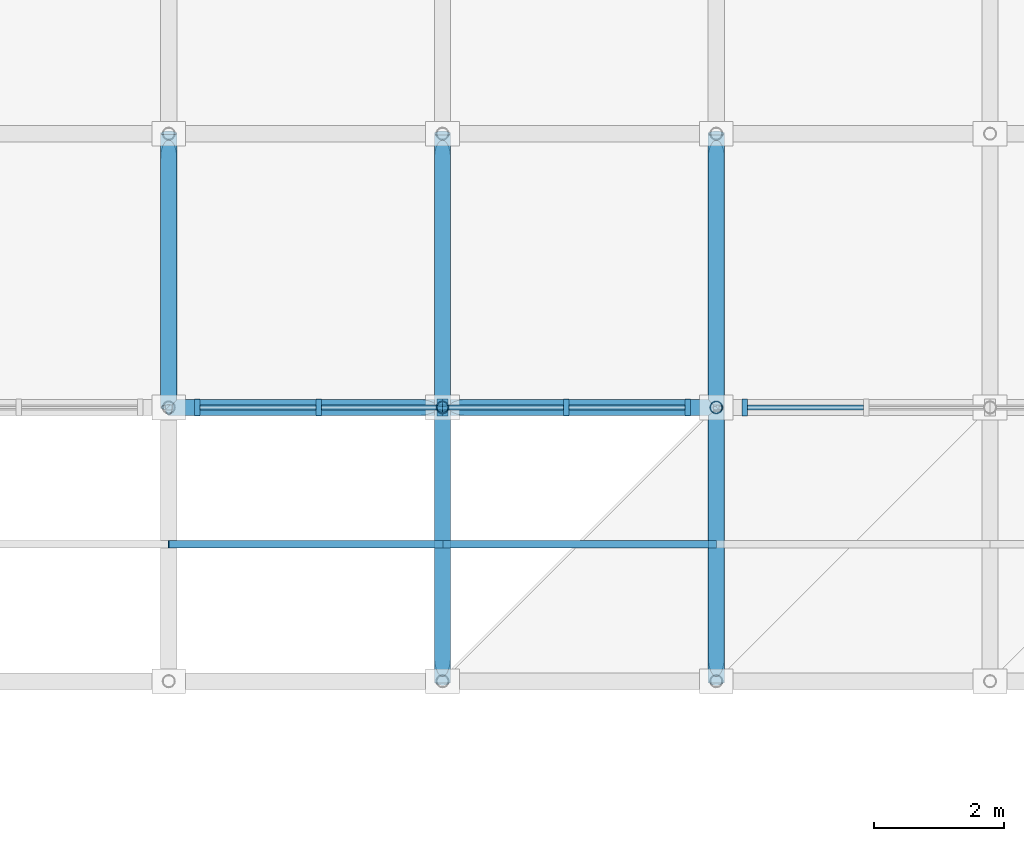
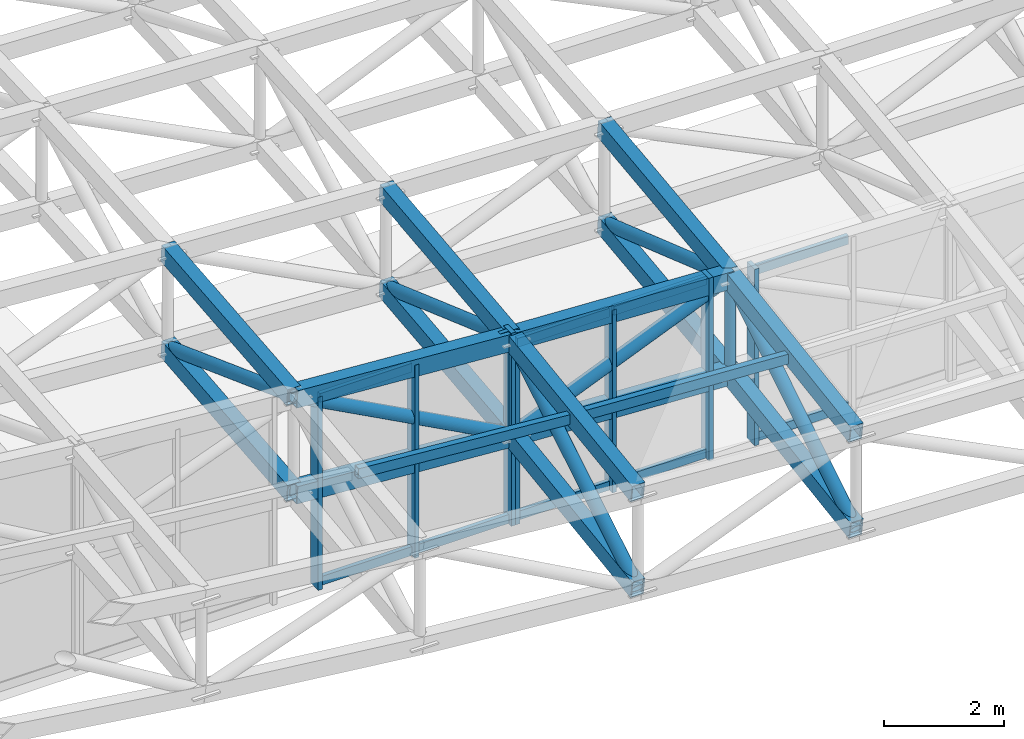
# One storey, part 25 of 111: 42 members, 3 elements without a shape of their own.
"""IFC4 building model written with IfcOpenShell, lengths in metres."""

from ifc_helpers import new_model, si_unit, direction, frame, origin, origin_2d, place, context, subcontext, project, spatial, rectangle, hollow_rectangle, hollow_circle, extrude, material, material_profile, profile_set, type_object, element, aggregate, save


model = new_model("IFC4")

# Units and contexts
model_context = context("Model", 3, precision=1e-05, world=origin(), true_north=direction((0.0, 1.0)))
body_context = subcontext(model_context, "Body", "Model", "MODEL_VIEW")
ifc_project = project(units=[si_unit("LENGTHUNIT", "METRE"), si_unit("AREAUNIT", "SQUARE_METRE"), si_unit("VOLUMEUNIT", "CUBIC_METRE"), si_unit("PLANEANGLEUNIT", "RADIAN"), si_unit("MASSUNIT", "GRAM", prefix="KILO")], contexts=[model_context])

# Site, building, storey
site_placement = place(None, origin())
site = spatial("IfcSite", under=ifc_project, at=site_placement, CompositionType="ELEMENT")
building_placement = place(site_placement, origin())
building = spatial("IfcBuilding", under=site, at=building_placement, Name="Cumbredor Promenade Congress Hotel", CompositionType="ELEMENT")
storey_placement = place(building_placement, frame((0.0, 0.0, 15.1201171875)))
storey = spatial("IfcBuildingStorey", under=building, at=storey_placement, Name="L04", CompositionType="ELEMENT", Elevation=15.1201171875)

# Curtain wall, members
ifc_material_1 = material(Name="Thermally broken anodized aluminium and low-E glass", Category="aluminium")
curtain_wall_type = type_object("IfcCurtainWallType", Name="Stepped Pavilion Clerestory Curtain Wall CW-06", PredefinedType="NOTDEFINED", material=ifc_material_1)
curtain_wall_1_placement = place(storey_placement, origin())
curtain_wall_1 = element("IfcCurtainWall", 1, at=curtain_wall_1_placement, inside=storey, type_object=curtain_wall_type, Name="Pre-Function and Breakout Meeting Forum S Glazed Clerestory 7", PredefinedType="NOTDEFINED")
ifc_material_2 = material(Name="Thermally broken anodized aluminium", Category="aluminium")
ifc_material_profile_1 = material_profile(ifc_material_2, rectangle(XDim=0.0849609375, YDim=0.260009765625, at=origin_2d()), Name="ALU MULLION CLERESTORY 85x260")
ifc_profile_set_1 = profile_set([ifc_material_profile_1], Name="Thermally broken anodized aluminium")
member_type_1 = type_object("IfcMemberType", Name="Curtain Wall Mullion ML-04", PredefinedType="MULLION", material=ifc_profile_set_1)
member_1_placement = place(storey_placement, frame((118.0400390625, 84.0, -0.01806640625), z_axis=(0.0, 0.0, 1.0), x_axis=(1.0, 0.0, 0.0)))
member_1 = element("IfcMember", 2, at=member_1_placement, type_object=member_type_1, Name="Pre-Function and Breakout Meeting Forum S Glazed Clerestory 7 Mullion 1", PredefinedType="MULLION", context=body_context, shape_type="SweptSolid", body=[
    extrude(rectangle(XDim=0.0849609375, YDim=0.260009765625, at=origin_2d()), origin(), (0.0, 0.0, 1.0), 3.92626953125),
])
member_2_placement = place(storey_placement, frame((119.89990234375, 84.0, -0.01806640625), z_axis=(0.0, 0.0, 1.0), x_axis=(1.0, 0.0, 0.0)))
member_2 = element("IfcMember", 3, at=member_2_placement, type_object=member_type_1, Name="Pre-Function and Breakout Meeting Forum S Glazed Clerestory 7 Mullion 2", PredefinedType="MULLION", context=body_context, shape_type="SweptSolid", body=[
    extrude(rectangle(XDim=0.0849609375, YDim=0.260009765625, at=origin_2d()), origin(), (0.0, 0.0, 1.0), 3.92626953125),
])
member_3_placement = place(storey_placement, frame((121.760009765625, 84.0, -0.01806640625), z_axis=(0.0, 0.0, 1.0), x_axis=(1.0, 0.0, 0.0)))
member_3 = element("IfcMember", 4, at=member_3_placement, type_object=member_type_1, Name="Pre-Function and Breakout Meeting Forum S Glazed Clerestory 7 Mullion 3", PredefinedType="MULLION", context=body_context, shape_type="SweptSolid", body=[
    extrude(rectangle(XDim=0.0849609375, YDim=0.260009765625, at=origin_2d()), origin(), (0.0, 0.0, 1.0), 3.92626953125),
])

curtain_wall_2_placement = place(storey_placement, origin())
curtain_wall_2 = element("IfcCurtainWall", 5, at=curtain_wall_2_placement, inside=storey, type_object=curtain_wall_type, Name="Pre-Function and Breakout Meeting Forum S Glazed Clerestory 8", PredefinedType="NOTDEFINED")
member_4_placement = place(storey_placement, frame((121.840087890625, 84.0, -0.01806640625), z_axis=(0.0, 0.0, 1.0), x_axis=(1.0, 0.0, 0.0)))
member_4 = element("IfcMember", 6, at=member_4_placement, type_object=member_type_1, Name="Pre-Function and Breakout Meeting Forum S Glazed Clerestory 8 Mullion 1", PredefinedType="MULLION", context=body_context, shape_type="SweptSolid", body=[
    extrude(rectangle(XDim=0.0849609375, YDim=0.260009765625, at=origin_2d()), origin(), (0.0, 0.0, 1.0), 3.71533203125),
])
member_5_placement = place(storey_placement, frame((123.699951171875, 84.0, -0.01806640625), z_axis=(0.0, 0.0, 1.0), x_axis=(1.0, 0.0, 0.0)))
member_5 = element("IfcMember", 7, at=member_5_placement, type_object=member_type_1, Name="Pre-Function and Breakout Meeting Forum S Glazed Clerestory 8 Mullion 2", PredefinedType="MULLION", context=body_context, shape_type="SweptSolid", body=[
    extrude(rectangle(XDim=0.0849609375, YDim=0.260009765625, at=origin_2d()), origin(), (0.0, 0.0, 1.0), 3.71533203125),
])
member_6_placement = place(storey_placement, frame((125.56005859375, 84.0, -0.01806640625), z_axis=(0.0, 0.0, 1.0), x_axis=(1.0, 0.0, 0.0)))
member_6 = element("IfcMember", 8, at=member_6_placement, type_object=member_type_1, Name="Pre-Function and Breakout Meeting Forum S Glazed Clerestory 8 Mullion 3", PredefinedType="MULLION", context=body_context, shape_type="SweptSolid", body=[
    extrude(rectangle(XDim=0.0849609375, YDim=0.260009765625, at=origin_2d()), origin(), (0.0, 0.0, 1.0), 3.71533203125),
])

# Curtain wall, member
curtain_wall_3_placement = place(storey_placement, origin())
curtain_wall_3 = element("IfcCurtainWall", 9, at=curtain_wall_3_placement, inside=storey, type_object=curtain_wall_type, Name="Pre-Function and Breakout Meeting Forum S Glazed Clerestory 9", PredefinedType="NOTDEFINED")
member_7_placement = place(storey_placement, frame((126.43994140625, 84.0, -0.01806640625), z_axis=(0.0, 0.0, 1.0), x_axis=(1.0, 0.0, 0.0)))
member_7 = element("IfcMember", 10, at=member_7_placement, type_object=member_type_1, Name="Pre-Function and Breakout Meeting Forum S Glazed Clerestory 9 Mullion 1", PredefinedType="MULLION", context=body_context, shape_type="SweptSolid", body=[
    extrude(rectangle(XDim=0.0849609375, YDim=0.260009765625, at=origin_2d()), origin(), (0.0, 0.0, 1.0), 3.5888671875),
])

# Member
ifc_material_profile_2 = material_profile(ifc_material_2, rectangle(XDim=0.080078125, YDim=0.179931640625, at=origin_2d()), Name="ALU TRANSOM 80x180")
ifc_profile_set_2 = profile_set([ifc_material_profile_2], Name="Thermally broken anodized aluminium")
member_type_2 = type_object("IfcMemberType", Name="Curtain Wall Transom TR-03", PredefinedType="USERDEFINED", material=ifc_profile_set_2)
member_8_placement = place(storey_placement, frame((118.08251953125, 84.0, 0.079833984375), z_axis=(1.0, 0.0, 0.0), x_axis=(0.0, 1.0, 0.0)))
member_8 = element("IfcMember", 11, at=member_8_placement, type_object=member_type_2, Name="Pre-Function and Breakout Meeting Forum S Glazed Clerestory 7 Transom 1.1", ObjectType="TRANSOM", PredefinedType="USERDEFINED", context=body_context, shape_type="SweptSolid", body=[
    extrude(rectangle(XDim=0.080078125, YDim=0.179931640625, at=origin_2d()), origin(), (0.0, 0.0, 1.0), 1.77490234375),
])

member_9_placement = place(storey_placement, frame((118.08251953125, 84.0, 3.809814453125), z_axis=(1.0, 0.0, 0.0), x_axis=(0.0, 1.0, 0.0)))
member_9 = element("IfcMember", 12, at=member_9_placement, type_object=member_type_2, Name="Pre-Function and Breakout Meeting Forum S Glazed Clerestory 7 Transom 1.2", ObjectType="TRANSOM", PredefinedType="USERDEFINED", context=body_context, shape_type="SweptSolid", body=[
    extrude(rectangle(XDim=0.080078125, YDim=0.179931640625, at=origin_2d()), origin(), (0.0, 0.0, 1.0), 1.77490234375),
])

member_10_placement = place(storey_placement, frame((119.9423828125, 84.0, 0.079833984375), z_axis=(1.0, 0.0, 0.0), x_axis=(0.0, 1.0, 0.0)))
member_10 = element("IfcMember", 13, at=member_10_placement, type_object=member_type_2, Name="Pre-Function and Breakout Meeting Forum S Glazed Clerestory 7 Transom 2.1", ObjectType="TRANSOM", PredefinedType="USERDEFINED", context=body_context, shape_type="SweptSolid", body=[
    extrude(rectangle(XDim=0.080078125, YDim=0.179931640625, at=origin_2d()), origin(), (0.0, 0.0, 1.0), 1.775146484375),
])

member_11_placement = place(storey_placement, frame((119.9423828125, 84.0, 3.809814453125), z_axis=(1.0, 0.0, 0.0), x_axis=(0.0, 1.0, 0.0)))
member_11 = element("IfcMember", 14, at=member_11_placement, type_object=member_type_2, Name="Pre-Function and Breakout Meeting Forum S Glazed Clerestory 7 Transom 2.2", ObjectType="TRANSOM", PredefinedType="USERDEFINED", context=body_context, shape_type="SweptSolid", body=[
    extrude(rectangle(XDim=0.080078125, YDim=0.179931640625, at=origin_2d()), origin(), (0.0, 0.0, 1.0), 1.775146484375),
])

aggregate(curtain_wall_1, [member_1, member_2, member_3, member_8, member_9, member_10, member_11])

member_12_placement = place(storey_placement, frame((121.882568359375, 84.0, 0.079833984375), z_axis=(1.0, 0.0, 0.0), x_axis=(0.0, 1.0, 0.0)))
member_12 = element("IfcMember", 15, at=member_12_placement, type_object=member_type_2, Name="Pre-Function and Breakout Meeting Forum S Glazed Clerestory 8 Transom 1.1", ObjectType="TRANSOM", PredefinedType="USERDEFINED", context=body_context, shape_type="SweptSolid", body=[
    extrude(rectangle(XDim=0.080078125, YDim=0.179931640625, at=origin_2d()), origin(), (0.0, 0.0, 1.0), 1.77490234375),
])

member_13_placement = place(storey_placement, frame((121.882568359375, 84.0, 3.599853515625), z_axis=(1.0, 0.0, 0.0), x_axis=(0.0, 1.0, 0.0)))
member_13 = element("IfcMember", 16, at=member_13_placement, type_object=member_type_2, Name="Pre-Function and Breakout Meeting Forum S Glazed Clerestory 8 Transom 1.2", ObjectType="TRANSOM", PredefinedType="USERDEFINED", context=body_context, shape_type="SweptSolid", body=[
    extrude(rectangle(XDim=0.080078125, YDim=0.179931640625, at=origin_2d()), origin(), (0.0, 0.0, 1.0), 1.77490234375),
])

member_14_placement = place(storey_placement, frame((123.742431640625, 84.0, 0.079833984375), z_axis=(1.0, 0.0, 0.0), x_axis=(0.0, 1.0, 0.0)))
member_14 = element("IfcMember", 17, at=member_14_placement, type_object=member_type_2, Name="Pre-Function and Breakout Meeting Forum S Glazed Clerestory 8 Transom 2.1", ObjectType="TRANSOM", PredefinedType="USERDEFINED", context=body_context, shape_type="SweptSolid", body=[
    extrude(rectangle(XDim=0.080078125, YDim=0.179931640625, at=origin_2d()), origin(), (0.0, 0.0, 1.0), 1.775146484375),
])

member_15_placement = place(storey_placement, frame((123.742431640625, 84.0, 3.599853515625), z_axis=(1.0, 0.0, 0.0), x_axis=(0.0, 1.0, 0.0)))
member_15 = element("IfcMember", 18, at=member_15_placement, type_object=member_type_2, Name="Pre-Function and Breakout Meeting Forum S Glazed Clerestory 8 Transom 2.2", ObjectType="TRANSOM", PredefinedType="USERDEFINED", context=body_context, shape_type="SweptSolid", body=[
    extrude(rectangle(XDim=0.080078125, YDim=0.179931640625, at=origin_2d()), origin(), (0.0, 0.0, 1.0), 1.775146484375),
])

aggregate(curtain_wall_2, [member_4, member_5, member_6, member_12, member_13, member_14, member_15])

member_16_placement = place(storey_placement, frame((126.482421875, 84.0, 0.079833984375), z_axis=(1.0, 0.0, 0.0), x_axis=(0.0, 1.0, 0.0)))
member_16 = element("IfcMember", 19, at=member_16_placement, type_object=member_type_2, Name="Pre-Function and Breakout Meeting Forum S Glazed Clerestory 9 Transom 1.1", ObjectType="TRANSOM", PredefinedType="USERDEFINED", context=body_context, shape_type="SweptSolid", body=[
    extrude(rectangle(XDim=0.080078125, YDim=0.179931640625, at=origin_2d()), origin(), (0.0, 0.0, 1.0), 1.775146484375),
])

member_17_placement = place(storey_placement, frame((126.482421875, 84.0, 3.469970703125), z_axis=(1.0, 0.0, 0.0), x_axis=(0.0, 1.0, 0.0)))
member_17 = element("IfcMember", 20, at=member_17_placement, type_object=member_type_2, Name="Pre-Function and Breakout Meeting Forum S Glazed Clerestory 9 Transom 1.2", ObjectType="TRANSOM", PredefinedType="USERDEFINED", context=body_context, shape_type="SweptSolid", body=[
    extrude(rectangle(XDim=0.080078125, YDim=0.179931640625, at=origin_2d()), origin(), (0.0, 0.0, 1.0), 1.775146484375),
])

aggregate(curtain_wall_3, [member_7, member_16, member_17])

# Members
ifc_material_3 = material(Name="Steel ASTM A500 Grade C", Category="steel")
ifc_material_profile_3 = material_profile(ifc_material_3, hollow_rectangle(XDim=0.25, YDim=0.35009765625, WallThickness=0.01611328125, at=origin_2d()), Name="HSS 350x250x16")
ifc_profile_set_3 = profile_set([ifc_material_profile_3], Name="Steel ASTM A500 Grade C")
member_type_3 = type_object("IfcMemberType", Name="Forum Roof Truss Chord", PredefinedType="CHORD", material=ifc_profile_set_3)
for number, where, z_axis, x_axis, name in (
    (21, (117.60009765625, 84.0, 4.00244140625), (0.997535524008, 0.0, -0.070163226417), (0.0, 1.0, 0.0), "Pre-Function and Breakout Meeting Forum X Top Chord 8.2"),
    (22, (117.60009765625, 84.0, 2.052490234375), (0.997535524008, 0.0, -0.070163226417), (0.0, 1.0, 0.0), "Pre-Function and Breakout Meeting Forum X Bottom Chord 8.2"),
):
    element("IfcMember", number, at=place(storey_placement, frame(where, z_axis=z_axis, x_axis=x_axis)), inside=storey, type_object=member_type_3, Name=name, PredefinedType="CHORD", context=body_context, shape_type="SweptSolid", body=[
        extrude(hollow_rectangle(XDim=0.25, YDim=0.35009765625, WallThickness=0.01611328125, at=origin_2d()), origin(), (0.0, 0.0, 1.0), 4.21044921875),
    ])
for number, where, z_axis, x_axis, name in (
    (23, (121.800048828125, 84.0, 3.70703125), (0.998741166039, 0.0, -0.050160574752), (0.0, 1.0, 0.0), "Pre-Function and Breakout Meeting Forum X Top Chord 9.2"),
    (24, (121.800048828125, 84.0, 1.757080078125), (0.998741166039, 0.0, -0.050160574752), (0.0, 1.0, 0.0), "Pre-Function and Breakout Meeting Forum X Bottom Chord 9.2"),
):
    element("IfcMember", number, at=place(storey_placement, frame(where, z_axis=z_axis, x_axis=x_axis)), inside=storey, type_object=member_type_3, Name=name, PredefinedType="CHORD", context=body_context, shape_type="SweptSolid", body=[
        extrude(hollow_rectangle(XDim=0.25, YDim=0.35009765625, WallThickness=0.01611328125, at=origin_2d()), origin(), (0.0, 0.0, 1.0), 4.205322265625),
    ])
for number, where, z_axis, x_axis, name in (
    (25, (117.60009765625, 84.0, 4.00244140625), (0.0, 0.99549755299, 0.094787245934), (-1.0, 0.0, 0.0), "Pre-Function and Breakout Meeting Forum Y Top Chord 8.2"),
    (26, (117.60009765625, 84.0, 2.052490234375), (0.0, 0.99549755299, 0.094787245934), (-1.0, 0.0, 0.0), "Pre-Function and Breakout Meeting Forum Y Bottom Chord 8.2"),
):
    element("IfcMember", number, at=place(storey_placement, frame(where, z_axis=z_axis, x_axis=x_axis)), inside=storey, type_object=member_type_3, Name=name, PredefinedType="CHORD", context=body_context, shape_type="SweptSolid", body=[
        extrude(hollow_rectangle(XDim=0.25, YDim=0.35009765625, WallThickness=0.01611328125, at=origin_2d()), origin(), (0.0, 0.0, 1.0), 4.218994140625),
    ])
for number, where, z_axis, x_axis, name in (
    (27, (121.800048828125, 79.800048828125, 3.119384765625), (0.0, 0.990352968068, 0.138567668089), (-1.0, 0.0, 0.0), "Pre-Function and Breakout Meeting Forum Y Top Chord 9.1"),
    (28, (121.800048828125, 79.800048828125, 1.16943359375), (0.0, 0.990352968068, 0.138567668089), (-1.0, 0.0, 0.0), "Pre-Function and Breakout Meeting Forum Y Bottom Chord 9.1"),
):
    element("IfcMember", number, at=place(storey_placement, frame(where, z_axis=z_axis, x_axis=x_axis)), inside=storey, type_object=member_type_3, Name=name, PredefinedType="CHORD", context=body_context, shape_type="SweptSolid", body=[
        extrude(hollow_rectangle(XDim=0.25, YDim=0.35009765625, WallThickness=0.01611328125, at=origin_2d()), origin(), (0.0, 0.0, 1.0), 4.240966796875),
    ])
for number, where, z_axis, x_axis, name in (
    (29, (121.800048828125, 84.0, 3.70703125), (0.0, 0.994094018427, 0.10852226743), (-1.0, 0.0, 0.0), "Pre-Function and Breakout Meeting Forum Y Top Chord 9.2"),
    (30, (121.800048828125, 84.0, 1.757080078125), (0.0, 0.994094018427, 0.10852226743), (-1.0, 0.0, 0.0), "Pre-Function and Breakout Meeting Forum Y Bottom Chord 9.2"),
):
    element("IfcMember", number, at=place(storey_placement, frame(where, z_axis=z_axis, x_axis=x_axis)), inside=storey, type_object=member_type_3, Name=name, PredefinedType="CHORD", context=body_context, shape_type="SweptSolid", body=[
        extrude(hollow_rectangle(XDim=0.25, YDim=0.35009765625, WallThickness=0.01611328125, at=origin_2d()), origin(), (0.0, 0.0, 1.0), 4.224853515625),
    ])
for number, where, z_axis, x_axis, name in (
    (31, (126.0, 79.800048828125, 2.85498046875), (0.0, 0.988549058169, 0.15089983298), (-1.0, 0.0, 0.0), "Pre-Function and Breakout Meeting Forum Y Top Chord 10.1"),
    (32, (126.0, 79.800048828125, 0.905029296875), (0.0, 0.988549058169, 0.15089983298), (-1.0, 0.0, 0.0), "Pre-Function and Breakout Meeting Forum Y Bottom Chord 10.1"),
):
    element("IfcMember", number, at=place(storey_placement, frame(where, z_axis=z_axis, x_axis=x_axis)), inside=storey, type_object=member_type_3, Name=name, PredefinedType="CHORD", context=body_context, shape_type="SweptSolid", body=[
        extrude(hollow_rectangle(XDim=0.25, YDim=0.35009765625, WallThickness=0.01611328125, at=origin_2d()), origin(), (0.0, 0.0, 1.0), 4.24853515625),
    ])
for number, where, z_axis, x_axis, name in (
    (33, (126.0, 84.0, 3.49609375), (0.0, 0.99298811287, 0.118214244908), (-1.0, 0.0, 0.0), "Pre-Function and Breakout Meeting Forum Y Top Chord 10.2"),
    (34, (126.0, 84.0, 1.546142578125), (0.0, 0.99298811287, 0.118214244908), (-1.0, 0.0, 0.0), "Pre-Function and Breakout Meeting Forum Y Bottom Chord 10.2"),
):
    element("IfcMember", number, at=place(storey_placement, frame(where, z_axis=z_axis, x_axis=x_axis)), inside=storey, type_object=member_type_3, Name=name, PredefinedType="CHORD", context=body_context, shape_type="SweptSolid", body=[
        extrude(hollow_rectangle(XDim=0.25, YDim=0.35009765625, WallThickness=0.01611328125, at=origin_2d()), origin(), (0.0, 0.0, 1.0), 4.2294921875),
    ])
ifc_material_profile_4 = material_profile(ifc_material_3, hollow_rectangle(XDim=0.1201171875, YDim=0.199951171875, WallThickness=0.010009765625, at=origin_2d()), Name="HSS 200x120x10")
ifc_profile_set_4 = profile_set([ifc_material_profile_4], Name="Steel ASTM A500 Grade C")
member_type_4 = type_object("IfcMemberType", Name="Roof Purlin HSS200x120", PredefinedType="PURLIN", material=ifc_profile_set_4)
member_18_placement = place(storey_placement, frame((117.60009765625, 81.89990234375, 3.72607421875), z_axis=(0.996875975004, 0.0, -0.07898284915), x_axis=(0.0, 1.0, 0.0)))
element("IfcMember", 35, at=member_18_placement, inside=storey, type_object=member_type_4, Name="Pre-Function and Breakout Meeting Forum Roof Eave Purlin 8.1", PredefinedType="PURLIN", context=body_context, shape_type="SweptSolid", body=[
    extrude(hollow_rectangle(XDim=0.1201171875, YDim=0.199951171875, WallThickness=0.010009765625, at=origin_2d()), origin(), (0.0, 0.0, 1.0), 4.213134765625),
])
member_19_placement = place(storey_placement, frame((121.800048828125, 81.89990234375, 3.393310546875), z_axis=(0.998401042431, 0.0, -0.056527501908), x_axis=(0.0, 1.0, 0.0)))
element("IfcMember", 36, at=member_19_placement, inside=storey, type_object=member_type_4, Name="Pre-Function and Breakout Meeting Forum Roof Eave Purlin 9.1", PredefinedType="PURLIN", context=body_context, shape_type="SweptSolid", body=[
    extrude(hollow_rectangle(XDim=0.1201171875, YDim=0.199951171875, WallThickness=0.010009765625, at=origin_2d()), origin(), (0.0, 0.0, 1.0), 4.206787109375),
])
ifc_material_profile_5 = material_profile(ifc_material_3, hollow_circle(Radius=0.122314453125, WallThickness=0.012451171875, at=origin_2d()), Name="CHS 244.5x12.5")
ifc_profile_set_5 = profile_set([ifc_material_profile_5], Name="Steel ASTM A500 Grade C")
member_type_5 = type_object("IfcMemberType", Name="Space Frame Web Diagonal D2", PredefinedType="BRACE", material=ifc_profile_set_5)
member_20_placement = place(storey_placement, frame((117.60009765625, 84.0, 4.00244140625), z_axis=(0.881882794883, 0.0, -0.471468701072), x_axis=(0.0, 1.0, 0.0)))
element("IfcMember", 37, at=member_20_placement, inside=storey, type_object=member_type_5, Name="Pre-Function and Breakout Meeting Forum X Web Diagonal 8.2", PredefinedType="BRACE", context=body_context, shape_type="SweptSolid", body=[
    extrude(hollow_circle(Radius=0.122314453125, WallThickness=0.012451171875, at=origin_2d()), origin(), (0.0, 0.0, 1.0), 4.762451171875),
])
member_21_placement = place(storey_placement, frame((121.800048828125, 84.0, 1.757080078125), z_axis=(0.923931095215, 0.0, 0.382558925258), x_axis=(0.0, 1.0, 0.0)))
element("IfcMember", 38, at=member_21_placement, inside=storey, type_object=member_type_5, Name="Pre-Function and Breakout Meeting Forum X Web Diagonal 9.2", PredefinedType="BRACE", context=body_context, shape_type="SweptSolid", body=[
    extrude(hollow_circle(Radius=0.122314453125, WallThickness=0.012451171875, at=origin_2d()), origin(), (0.0, 0.0, 1.0), 4.545654296875),
])
member_22_placement = place(storey_placement, frame((117.60009765625, 84.0, 4.00244140625), z_axis=(0.0, 0.938147442596, -0.346236011919), x_axis=(-1.0, 0.0, 0.0)))
element("IfcMember", 39, at=member_22_placement, inside=storey, type_object=member_type_5, Name="Pre-Function and Breakout Meeting Forum Y Web Diagonal 8.2", PredefinedType="BRACE", context=body_context, shape_type="SweptSolid", body=[
    extrude(hollow_circle(Radius=0.122314453125, WallThickness=0.012451171875, at=origin_2d()), origin(), (0.0, 0.0, 1.0), 4.476806640625),
])
member_23_placement = place(storey_placement, frame((121.800048828125, 79.800048828125, 1.16943359375), z_axis=(0.0, 0.8559040724, 0.517134623526), x_axis=(-1.0, 0.0, 0.0)))
element("IfcMember", 40, at=member_23_placement, inside=storey, type_object=member_type_5, Name="Pre-Function and Breakout Meeting Forum Y Web Diagonal 9.1", PredefinedType="BRACE", context=body_context, shape_type="SweptSolid", body=[
    extrude(hollow_circle(Radius=0.122314453125, WallThickness=0.012451171875, at=origin_2d()), origin(), (0.0, 0.0, 1.0), 4.906982421875),
])
member_24_placement = place(storey_placement, frame((121.800048828125, 84.0, 3.70703125), z_axis=(0.0, 0.942346411237, -0.334638971473), x_axis=(-1.0, 0.0, 0.0)))
element("IfcMember", 41, at=member_24_placement, inside=storey, type_object=member_type_5, Name="Pre-Function and Breakout Meeting Forum Y Web Diagonal 9.2", PredefinedType="BRACE", context=body_context, shape_type="SweptSolid", body=[
    extrude(hollow_circle(Radius=0.122314453125, WallThickness=0.012451171875, at=origin_2d()), origin(), (0.0, 0.0, 1.0), 4.456787109375),
])
member_25_placement = place(storey_placement, frame((126.0, 79.800048828125, 0.905029296875), z_axis=(0.0, 0.851071760638, 0.525049386482), x_axis=(-1.0, 0.0, 0.0)))
element("IfcMember", 42, at=member_25_placement, inside=storey, type_object=member_type_5, Name="Pre-Function and Breakout Meeting Forum Y Web Diagonal 10.1", PredefinedType="BRACE", context=body_context, shape_type="SweptSolid", body=[
    extrude(hollow_circle(Radius=0.122314453125, WallThickness=0.012451171875, at=origin_2d()), origin(), (0.0, 0.0, 1.0), 4.934814453125),
])
member_26_placement = place(storey_placement, frame((126.0, 84.0, 3.49609375), z_axis=(0.0, 0.945255551873, -0.326331030784), x_axis=(-1.0, 0.0, 0.0)))
element("IfcMember", 43, at=member_26_placement, inside=storey, type_object=member_type_5, Name="Pre-Function and Breakout Meeting Forum Y Web Diagonal 10.2", PredefinedType="BRACE", context=body_context, shape_type="SweptSolid", body=[
    extrude(hollow_circle(Radius=0.122314453125, WallThickness=0.012451171875, at=origin_2d()), origin(), (0.0, 0.0, 1.0), 4.443115234375),
])
ifc_material_profile_6 = material_profile(ifc_material_3, hollow_circle(Radius=0.096923828125, WallThickness=0.010009765625, at=origin_2d()), Name="CHS 193.7x10")
ifc_profile_set_6 = profile_set([ifc_material_profile_6], Name="Steel ASTM A500 Grade C")
member_type_6 = type_object("IfcMemberType", Name="Space Frame Web Post P1", PredefinedType="BRACE", material=ifc_profile_set_6)
for number, where, z_axis, x_axis, name in (
    (44, (121.800048828125, 84.0, 1.757080078125), (0.0, 0.0, 1.0), (1.0, 0.0, 0.0), "Pre-Function and Breakout Meeting Forum Space Frame Web Post 9.2"),
    (45, (126.0, 84.0, 1.546142578125), (0.0, 0.0, 1.0), (1.0, 0.0, 0.0), "Pre-Function and Breakout Meeting Forum Space Frame Web Post 10.2"),
):
    element("IfcMember", number, at=place(storey_placement, frame(where, z_axis=z_axis, x_axis=x_axis)), inside=storey, type_object=member_type_6, Name=name, PredefinedType="BRACE", context=body_context, shape_type="SweptSolid", body=[
        extrude(hollow_circle(Radius=0.096923828125, WallThickness=0.010009765625, at=origin_2d()), origin(), (0.0, 0.0, 1.0), 1.949951171875),
    ])

save(model, "model.ifc")
